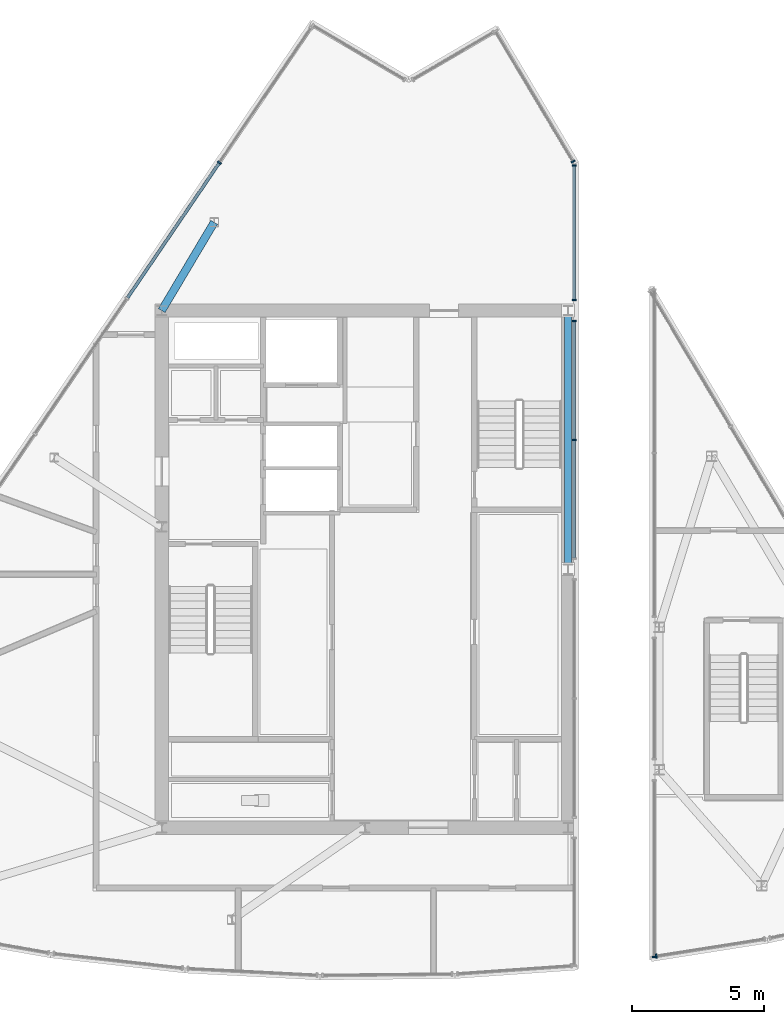
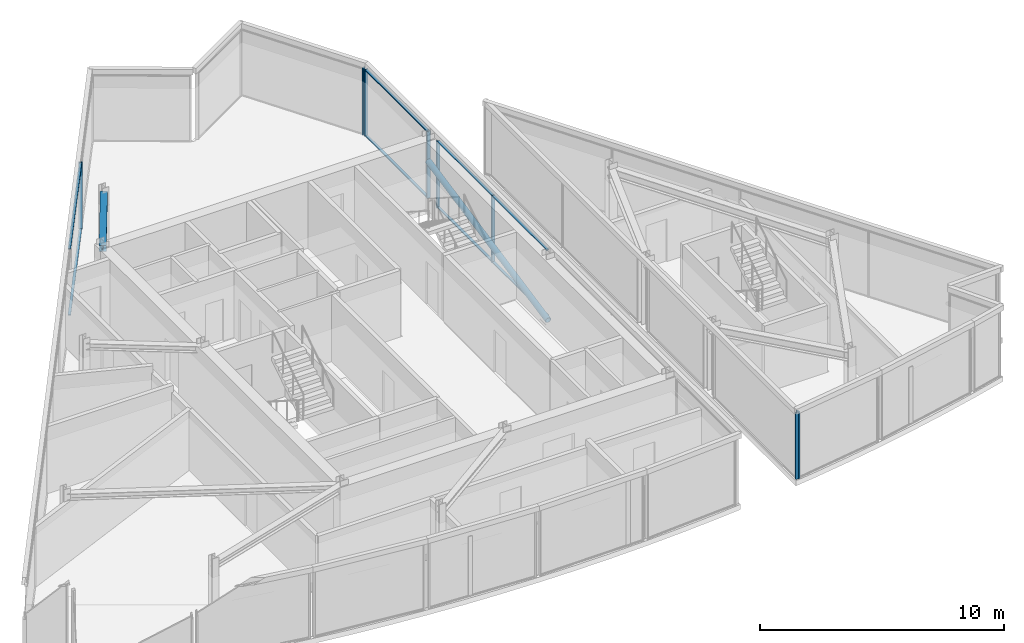
# One storey, part 5 of 15: 17 members, 1 beam, 6 elements without a shape of their own.
"""IFC4 building model written with IfcOpenShell, lengths in metres."""

from ifc_helpers import new_model, si_unit, direction, frame, origin, origin_2d, place, context, subcontext, project, spatial, rectangle, hollow_circle, i_section, extrude, material, material_profile, profile_set, type_object, element, aggregate, save


model = new_model("IFC4")

# Units and contexts
model_context = context("Model", 3, precision=1e-05, world=origin(), true_north=direction((0.0, 1.0)))
body_context = subcontext(model_context, "Body", "Model", "MODEL_VIEW")
ifc_project = project(units=[si_unit("LENGTHUNIT", "METRE"), si_unit("AREAUNIT", "SQUARE_METRE"), si_unit("VOLUMEUNIT", "CUBIC_METRE"), si_unit("PLANEANGLEUNIT", "RADIAN"), si_unit("MASSUNIT", "GRAM", prefix="KILO")], contexts=[model_context])

# Site, building, storey
site_placement = place(None, origin())
site = spatial("IfcSite", under=ifc_project, at=site_placement, CompositionType="ELEMENT")
building_placement = place(site_placement, origin())
building = spatial("IfcBuilding", under=site, at=building_placement, Name="Savorim Split Tower", CompositionType="ELEMENT")
storey_placement = place(building_placement, frame((0.0, 0.0, 304.800048828125)))
storey = spatial("IfcBuildingStorey", under=building, at=storey_placement, Name="Crown L81 Plant", CompositionType="ELEMENT", Elevation=304.800048828125)

# Beam
ifc_material_1 = material(Name="Steel S355", Category="steel")
ifc_material_profile_1 = material_profile(ifc_material_1, i_section(OverallWidth=0.300048828125, OverallDepth=0.320068359375, WebThickness=0.011474609375, FlangeThickness=0.0205078125, FilletRadius=0.027099609375, at=origin_2d()), Name="HEB 320")
ifc_profile_set_1 = profile_set([ifc_material_profile_1], Name="Steel S355")
beam_type = type_object("IfcBeamType", Name="BM-PRI-HEB320", PredefinedType="BEAM", material=ifc_profile_set_1)
beam_placement = place(storey_placement, frame((-5.710205078125, 13.542236328125, 3.179931640625), z_axis=(-0.511539031423, -0.85926004174, 0.0), x_axis=(0.85926004174, -0.511539031423, 0.0)))
element("IfcBeam", 1, at=beam_placement, inside=storey, type_object=beam_type, Name="Crown L81 Plant West Crown Beam WBG-5", PredefinedType="BEAM", context=body_context, shape_type="SweptSolid", body=[
    extrude(i_section(OverallWidth=0.300048828125, OverallDepth=0.320068359375, WebThickness=0.011474609375, FlangeThickness=0.0205078125, FilletRadius=0.027099609375, at=origin_2d()), origin(), (0.0, 0.0, 1.0), 3.8896484375),
])

# Curtain wall, members
ifc_material_2 = material(Name="Dark Ceramic-Fritted Insulated Glass", Category="glass")
curtain_wall_type = type_object("IfcCurtainWallType", Name="CW-CROWN-CREST", PredefinedType="NOTDEFINED", material=ifc_material_2)
curtain_wall_1_placement = place(storey_placement, origin())
curtain_wall_1 = element("IfcCurtainWall", 2, at=curtain_wall_1_placement, inside=storey, type_object=curtain_wall_type, Name="Crown L81 Plant Curtain Wall CW-Crown-L81-Plant-W1AS3", PredefinedType="NOTDEFINED")
ifc_material_3 = material(Name="Charcoal Anodised Aluminium", Category="aluminium")
ifc_material_profile_2 = material_profile(ifc_material_3, rectangle(XDim=0.159912109375, YDim=0.06005859375, at=origin_2d()), Name="ALU-M 160x60")
ifc_profile_set_2 = profile_set([ifc_material_profile_2], Name="Charcoal Anodised Aluminium")
member_type_1 = type_object("IfcMemberType", Name="CWM-160x60", PredefinedType="MULLION", material=ifc_profile_set_2)
member_1_placement = place(storey_placement, frame((7.929931640625, 5.300048828125, 0.0), z_axis=(0.0, 0.0, 1.0), x_axis=(-1.0, 0.0, 0.0)))
member_1 = element("IfcMember", 3, at=member_1_placement, type_object=member_type_1, Name="CW-07 mullion 2", PredefinedType="MULLION", context=body_context, shape_type="SweptSolid", body=[
    extrude(rectangle(XDim=0.159912109375, YDim=0.06005859375, at=origin_2d()), origin(), (0.0, 0.0, 1.0), 3.33984375),
])
member_2_placement = place(storey_placement, frame((7.929931640625, 9.803955078125, 0.0), z_axis=(0.0, 0.0, 1.0), x_axis=(-1.0, 0.0, 0.0)))
member_2 = element("IfcMember", 4, at=member_2_placement, type_object=member_type_1, Name="CW-07 mullion 3", PredefinedType="MULLION", context=body_context, shape_type="SweptSolid", body=[
    extrude(rectangle(XDim=0.159912109375, YDim=0.06005859375, at=origin_2d()), origin(), (0.0, 0.0, 1.0), 3.33984375),
])

curtain_wall_2_placement = place(storey_placement, origin())
curtain_wall_2 = element("IfcCurtainWall", 5, at=curtain_wall_2_placement, inside=storey, type_object=curtain_wall_type, Name="Crown L81 Plant Curtain Wall CW-Crown-L81-Plant-W1AS4", PredefinedType="NOTDEFINED")
member_3_placement = place(storey_placement, frame((7.929931640625, 10.595947265625, 0.0), z_axis=(0.0, 0.0, 1.0), x_axis=(-1.0, 0.0, 0.0)))
member_3 = element("IfcMember", 6, at=member_3_placement, type_object=member_type_1, Name="CW-07 mullion 1", PredefinedType="MULLION", context=body_context, shape_type="SweptSolid", body=[
    extrude(rectangle(XDim=0.159912109375, YDim=0.06005859375, at=origin_2d()), origin(), (0.0, 0.0, 1.0), 3.33984375),
])
member_4_placement = place(storey_placement, frame((7.929931640625, 15.702392578125, 0.0), z_axis=(0.0, 0.0, 1.0), x_axis=(-1.0, 0.0, 0.0)))
member_4 = element("IfcMember", 7, at=member_4_placement, type_object=member_type_1, Name="CW-07 mullion 2", PredefinedType="MULLION", context=body_context, shape_type="SweptSolid", body=[
    extrude(rectangle(XDim=0.159912109375, YDim=0.06005859375, at=origin_2d()), origin(), (0.0, 0.0, 1.0), 3.33984375),
])

# Curtain wall, member
curtain_wall_3_placement = place(storey_placement, origin())
curtain_wall_3 = element("IfcCurtainWall", 8, at=curtain_wall_3_placement, inside=storey, type_object=curtain_wall_type, Name="Crown L81 Plant Curtain Wall CW-Crown-L81-Plant-W2A", PredefinedType="NOTDEFINED")
member_5_placement = place(storey_placement, frame((7.890625, 15.845703125, 0.0), z_axis=(0.0, 0.0, 1.0), x_axis=(-0.859520566677, -0.511101159712, 0.0)))
member_5 = element("IfcMember", 9, at=member_5_placement, type_object=member_type_1, Name="CW-07 mullion 1", PredefinedType="MULLION", context=body_context, shape_type="SweptSolid", body=[
    extrude(rectangle(XDim=0.159912109375, YDim=0.06005859375, at=origin_2d()), origin(), (0.0, 0.0, 1.0), 3.33984375),
])
aggregate(curtain_wall_3, [member_5])

curtain_wall_4_placement = place(storey_placement, origin())
curtain_wall_4 = element("IfcCurtainWall", 10, at=curtain_wall_4_placement, inside=storey, type_object=curtain_wall_type, Name="Crown L81 Plant Curtain Wall CW-Crown-L81-Plant-W5A", PredefinedType="NOTDEFINED")
member_6_placement = place(storey_placement, frame((-5.514892578125, 15.799072265625, 0.0), z_axis=(0.0, 0.0, 1.0), x_axis=(0.826819666495, -0.562467100457, 0.0)))
member_6 = element("IfcMember", 11, at=member_6_placement, type_object=member_type_1, Name="CW-07 mullion 2", PredefinedType="MULLION", context=body_context, shape_type="SweptSolid", body=[
    extrude(rectangle(XDim=0.159912109375, YDim=0.06005859375, at=origin_2d()), origin(), (0.0, 0.0, 1.0), 3.33984375),
])

curtain_wall_5_placement = place(storey_placement, origin())
curtain_wall_5 = element("IfcCurtainWall", 12, at=curtain_wall_5_placement, inside=storey, type_object=curtain_wall_type, Name="Crown L81 Plant Curtain Wall CW-Crown-L81-Plant-E1AS3", PredefinedType="NOTDEFINED")
member_7_placement = place(storey_placement, frame((10.969970703125, -14.305908203125, 0.0), z_axis=(0.0, 0.0, 1.0), x_axis=(1.0, 0.0, 0.0)))
member_7 = element("IfcMember", 13, at=member_7_placement, type_object=member_type_1, Name="CW-07 mullion 2", PredefinedType="MULLION", context=body_context, shape_type="SweptSolid", body=[
    extrude(rectangle(XDim=0.159912109375, YDim=0.06005859375, at=origin_2d()), origin(), (0.0, 0.0, 1.0), 3.33984375),
])
aggregate(curtain_wall_5, [member_7])

curtain_wall_6_placement = place(storey_placement, origin())
curtain_wall_6 = element("IfcCurtainWall", 14, at=curtain_wall_6_placement, inside=storey, type_object=curtain_wall_type, Name="Crown L81 Plant Curtain Wall CW-Crown-L81-Plant-E2A", PredefinedType="NOTDEFINED")
member_8_placement = place(storey_placement, frame((11.043701171875, -14.263916015625, 0.0), z_axis=(0.0, 0.0, 1.0), x_axis=(-0.155784582013, 0.987791052808, 0.0)))
member_8 = element("IfcMember", 15, at=member_8_placement, type_object=member_type_1, Name="CW-07 mullion 1", PredefinedType="MULLION", context=body_context, shape_type="SweptSolid", body=[
    extrude(rectangle(XDim=0.159912109375, YDim=0.06005859375, at=origin_2d()), origin(), (0.0, 0.0, 1.0), 3.33984375),
])
aggregate(curtain_wall_6, [member_8])

# Member
ifc_material_profile_3 = material_profile(ifc_material_3, rectangle(XDim=0.1201171875, YDim=0.050048828125, at=origin_2d()), Name="ALU-T 120x50")
ifc_profile_set_3 = profile_set([ifc_material_profile_3], Name="Charcoal Anodised Aluminium")
member_type_2 = type_object("IfcMemberType", Name="CWT-120x50", PredefinedType="USERDEFINED", material=ifc_profile_set_3)
member_9_placement = place(storey_placement, frame((7.929931640625, 0.825927734375, 0.02490234375), z_axis=(0.0, 1.0, 0.0), x_axis=(-1.0, 0.0, 0.0)))
member_9 = element("IfcMember", 16, at=member_9_placement, type_object=member_type_2, Name="CW-07 transom 1.1", ObjectType="TRANSOM", PredefinedType="USERDEFINED", context=body_context, shape_type="SweptSolid", body=[
    extrude(rectangle(XDim=0.1201171875, YDim=0.050048828125, at=origin_2d()), origin(), (0.0, 0.0, 1.0), 4.444091796875),
])

member_10_placement = place(storey_placement, frame((7.929931640625, 0.825927734375, 3.31494140625), z_axis=(0.0, 1.0, 0.0), x_axis=(-1.0, 0.0, 0.0)))
member_10 = element("IfcMember", 17, at=member_10_placement, type_object=member_type_2, Name="CW-07 transom 1.2", ObjectType="TRANSOM", PredefinedType="USERDEFINED", context=body_context, shape_type="SweptSolid", body=[
    extrude(rectangle(XDim=0.1201171875, YDim=0.050048828125, at=origin_2d()), origin(), (0.0, 0.0, 1.0), 4.444091796875),
])

member_11_placement = place(storey_placement, frame((7.929931640625, 5.330078125, 0.02490234375), z_axis=(0.0, 1.0, 0.0), x_axis=(-1.0, 0.0, 0.0)))
member_11 = element("IfcMember", 18, at=member_11_placement, type_object=member_type_2, Name="CW-07 transom 2.1", ObjectType="TRANSOM", PredefinedType="USERDEFINED", context=body_context, shape_type="SweptSolid", body=[
    extrude(rectangle(XDim=0.1201171875, YDim=0.050048828125, at=origin_2d()), origin(), (0.0, 0.0, 1.0), 4.44384765625),
])

member_12_placement = place(storey_placement, frame((7.929931640625, 5.330078125, 3.31494140625), z_axis=(0.0, 1.0, 0.0), x_axis=(-1.0, 0.0, 0.0)))
member_12 = element("IfcMember", 19, at=member_12_placement, type_object=member_type_2, Name="CW-07 transom 2.2", ObjectType="TRANSOM", PredefinedType="USERDEFINED", context=body_context, shape_type="SweptSolid", body=[
    extrude(rectangle(XDim=0.1201171875, YDim=0.050048828125, at=origin_2d()), origin(), (0.0, 0.0, 1.0), 4.44384765625),
])

aggregate(curtain_wall_1, [member_1, member_2, member_9, member_10, member_11, member_12])

member_13_placement = place(storey_placement, frame((7.929931640625, 10.6259765625, 0.02490234375), z_axis=(0.0, 1.0, 0.0), x_axis=(-1.0, 0.0, 0.0)))
member_13 = element("IfcMember", 20, at=member_13_placement, type_object=member_type_2, Name="CW-07 transom 1.1", ObjectType="TRANSOM", PredefinedType="USERDEFINED", context=body_context, shape_type="SweptSolid", body=[
    extrude(rectangle(XDim=0.1201171875, YDim=0.050048828125, at=origin_2d()), origin(), (0.0, 0.0, 1.0), 5.046630859375),
])

member_14_placement = place(storey_placement, frame((7.929931640625, 10.6259765625, 3.31494140625), z_axis=(0.0, 1.0, 0.0), x_axis=(-1.0, 0.0, 0.0)))
member_14 = element("IfcMember", 21, at=member_14_placement, type_object=member_type_2, Name="CW-07 transom 1.2", ObjectType="TRANSOM", PredefinedType="USERDEFINED", context=body_context, shape_type="SweptSolid", body=[
    extrude(rectangle(XDim=0.1201171875, YDim=0.050048828125, at=origin_2d()), origin(), (0.0, 0.0, 1.0), 5.046630859375),
])

aggregate(curtain_wall_2, [member_3, member_4, member_13, member_14])

member_15_placement = place(storey_placement, frame((-5.53173828125, 15.7744140625, 0.02490234375), z_axis=(-0.562464042895, -0.826821746479, 0.0), x_axis=(0.826821746479, -0.562464042895, 0.0)))
member_15 = element("IfcMember", 22, at=member_15_placement, type_object=member_type_2, Name="CW-07 transom 2.1", ObjectType="TRANSOM", PredefinedType="USERDEFINED", context=body_context, shape_type="SweptSolid", body=[
    extrude(rectangle(XDim=0.1201171875, YDim=0.050048828125, at=origin_2d()), origin(), (0.0, 0.0, 1.0), 6.15625),
])

member_16_placement = place(storey_placement, frame((-5.53173828125, 15.7744140625, 3.31494140625), z_axis=(-0.562464042895, -0.826821746479, 0.0), x_axis=(0.826821746479, -0.562464042895, 0.0)))
member_16 = element("IfcMember", 23, at=member_16_placement, type_object=member_type_2, Name="CW-07 transom 2.2", ObjectType="TRANSOM", PredefinedType="USERDEFINED", context=body_context, shape_type="SweptSolid", body=[
    extrude(rectangle(XDim=0.1201171875, YDim=0.050048828125, at=origin_2d()), origin(), (0.0, 0.0, 1.0), 6.15625),
])

aggregate(curtain_wall_4, [member_6, member_15, member_16])

ifc_material_profile_4 = material_profile(ifc_material_1, hollow_circle(Radius=0.136474609375, WallThickness=0.01611328125, at=origin_2d()), Name="CHS 273x16")
ifc_profile_set_4 = profile_set([ifc_material_profile_4], Name="Steel S355")
member_type_3 = type_object("IfcMemberType", Name="MBR-CRN-CHS273", PredefinedType="BRACE", material=ifc_profile_set_4)
member_17_placement = place(storey_placement, frame((7.699951171875, 0.39990234375, 0.14990234375), z_axis=(0.0, 0.979804253974, 0.199959055543), x_axis=(-1.0, 0.0, 0.0)))
element("IfcMember", 24, at=member_17_placement, inside=storey, type_object=member_type_3, Name="Crown L81 Plant Split Crown Spine Brace 1", PredefinedType="BRACE", context=body_context, shape_type="SweptSolid", body=[
    extrude(hollow_circle(Radius=0.136474609375, WallThickness=0.01611328125, at=origin_2d()), origin(), (0.0, 0.0, 1.0), 10.001953125),
])

save(model, "model.ifc")
